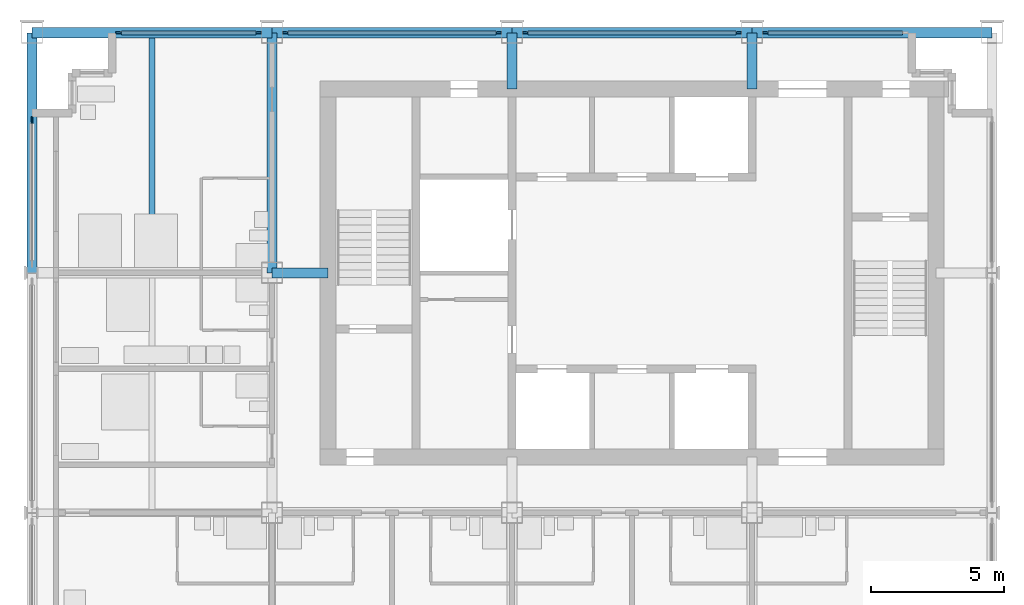
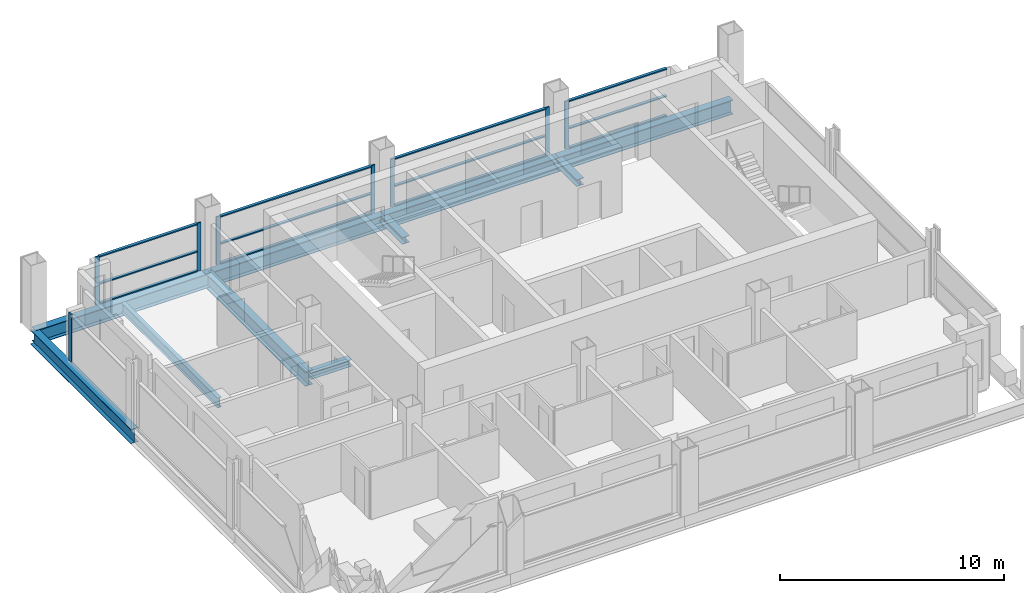
# One storey, part 3 of 12: 23 members, 7 beams, 5 elements without a shape of their own.
"""IFC4 building model written with IfcOpenShell, lengths in metres."""

from ifc_helpers import new_model, si_unit, direction, frame, origin, origin_2d, place, context, subcontext, project, spatial, rectangle, i_section, extrude, material, material_profile, profile_set, type_object, element, aggregate, save


model = new_model("IFC4")

# Units and contexts
model_context = context("Model", 3, precision=1e-05, world=origin(), true_north=direction((0.0, 1.0)))
body_context = subcontext(model_context, "Body", "Model", "MODEL_VIEW")
ifc_project = project(units=[si_unit("LENGTHUNIT", "METRE"), si_unit("AREAUNIT", "SQUARE_METRE"), si_unit("VOLUMEUNIT", "CUBIC_METRE"), si_unit("PLANEANGLEUNIT", "RADIAN"), si_unit("MASSUNIT", "GRAM", prefix="KILO")], contexts=[model_context])

# Site, building, storey
site_placement = place(None, origin())
site = spatial("IfcSite", under=ifc_project, at=site_placement, CompositionType="ELEMENT")
building_placement = place(site_placement, origin())
building = spatial("IfcBuilding", under=site, at=building_placement, Name="Loomwork Tower", CompositionType="ELEMENT")
storey_placement = place(building_placement, frame((0.0, 0.0, 259.0)))
storey = spatial("IfcBuildingStorey", under=building, at=storey_placement, Name="L71", CompositionType="ELEMENT", Elevation=259.0)

# Beam
ifc_material_1 = material(Name="Steel ASTM A992", Category="steel")
ifc_material_profile_1 = material_profile(ifc_material_1, i_section(OverallWidth=0.383544921875, OverallDepth=0.794921875, WebThickness=0.02099609375, FlangeThickness=0.0380859375, at=origin_2d()), Name="W30x235")
ifc_profile_set_1 = profile_set([ifc_material_profile_1], Name="Steel ASTM A992")
beam_type_1 = type_object("IfcBeamType", Name="CORE FLANK GIRDER W30x235", PredefinedType="BEAM", material=ifc_profile_set_1)
beam_1_placement = place(storey_placement, frame((9.0, 18.0, -0.597412109375), z_axis=(0.0, 1.0, 0.0), x_axis=(-1.0, 0.0, 0.0)))
element("IfcBeam", 1, at=beam_1_placement, inside=storey, type_object=beam_type_1, Name="Core Flank Girder F/3-G/3 L71", PredefinedType="BEAM", context=body_context, shape_type="SweptSolid", body=[
    extrude(i_section(OverallWidth=0.383544921875, OverallDepth=0.794921875, WebThickness=0.02099609375, FlangeThickness=0.0380859375, at=origin_2d()), origin(), (0.0, 0.0, 1.0), 9.0),
])

# Members
ifc_material_2 = material(Name="Steel ASTM A992", Category="steel")
ifc_material_profile_2 = material_profile(ifc_material_2, i_section(OverallWidth=0.373291015625, OverallDepth=0.373291015625, WebThickness=0.016357421875, FlangeThickness=0.026123046875, at=origin_2d()), Name="W14x132")
ifc_profile_set_2 = profile_set([ifc_material_profile_2], Name="Steel ASTM A992")
member_type_1 = type_object("IfcMemberType", Name="CORE LINK STRUT W14x132", PredefinedType="STRUT", material=ifc_profile_set_2)
for number, where, z_axis, x_axis, name in (
    (2, (18.0, 27.0, -0.38671875), (0.0, -1.0, 0.0), (1.0, 0.0, 0.0), "Core link strut G/4-18.000,24.900 L71"),
    (3, (27.0, 27.0, -0.38671875), (0.0, -1.0, 0.0), (1.0, 0.0, 0.0), "Core link strut G/5-27.000,24.900 L71"),
    (4, (9.0, 18.0, -0.38671875), (1.0, 0.0, 0.0), (0.0, 1.0, 0.0), "Core link strut F/3-11.100,18.000 L71"),
):
    element("IfcMember", number, at=place(storey_placement, frame(where, z_axis=z_axis, x_axis=x_axis)), inside=storey, type_object=member_type_1, Name=name, PredefinedType="STRUT", context=body_context, shape_type="SweptSolid", body=[
        extrude(i_section(OverallWidth=0.373291015625, OverallDepth=0.373291015625, WebThickness=0.016357421875, FlangeThickness=0.026123046875, at=origin_2d()), origin(), (0.0, 0.0, 1.0), 2.10009765625),
    ])

# Beam
ifc_material_3 = material(Name="Steel ASTM A992", Category="steel")
ifc_material_profile_3 = material_profile(ifc_material_3, i_section(OverallWidth=0.2109375, OverallDepth=0.53857421875, WebThickness=0.011474609375, FlangeThickness=0.018798828125, at=origin_2d()), Name="W21x73")
ifc_profile_set_3 = profile_set([ifc_material_profile_3], Name="Steel ASTM A992")
beam_type_2 = type_object("IfcBeamType", Name="FLOOR JOIST W21x73", PredefinedType="JOIST", material=ifc_profile_set_3)
beam_2_placement = place(storey_placement, frame((4.5, 18.19091796875, -0.46923828125), z_axis=(0.0, 1.0, 0.0), x_axis=(-1.0, 0.0, 0.0)))
element("IfcBeam", 5, at=beam_2_placement, inside=storey, type_object=beam_type_2, Name="Floor Joist 4.500,18.000-4.500,27.000 L71", PredefinedType="JOIST", context=body_context, shape_type="SweptSolid", body=[
    extrude(i_section(OverallWidth=0.2109375, OverallDepth=0.53857421875, WebThickness=0.011474609375, FlangeThickness=0.018798828125, at=origin_2d()), origin(), (0.0, 0.0, 1.0), 8.619140625),
])

# Curtain wall, member
ifc_material_4 = material(Name="Aluminium curtain wall frame", Category="aluminium")
curtain_wall_type_1 = type_object("IfcCurtainWallType", Name="Outer skin glazing suites", PredefinedType="NOTDEFINED", material=ifc_material_4)
curtain_wall_1_placement = place(storey_placement, origin())
curtain_wall_1 = element("IfcCurtainWall", 6, at=curtain_wall_1_placement, inside=storey, type_object=curtain_wall_type_1, Name="Outer skin glazing suites cw/W-18", PredefinedType="NOTDEFINED")
ifc_material_5 = material(Name="Aluminium curtain wall frame", Category="aluminium")
ifc_material_profile_4 = material_profile(ifc_material_5, rectangle(XDim=0.06494140625, YDim=0.25, at=origin_2d()), Name="AL 65x250")
ifc_profile_set_4 = profile_set([ifc_material_profile_4], Name="Aluminium curtain wall frame")
member_type_2 = type_object("IfcMemberType", Name="Outer skin glazing suites mullion", PredefinedType="MULLION", material=ifc_profile_set_4)
member_1_placement = place(storey_placement, frame((0.0, 23.72509765625, 0.0), z_axis=(0.0, 0.0, 1.0), x_axis=(1.0, 0.0, 0.0)))
member_1 = element("IfcMember", 7, at=member_1_placement, type_object=member_type_2, Name="CW2 mullion 1", PredefinedType="MULLION", context=body_context, shape_type="SweptSolid", body=[
    extrude(rectangle(XDim=0.06494140625, YDim=0.25, at=origin_2d()), origin(), (0.0, 0.0, 1.0), 2.6201171875),
])
aggregate(curtain_wall_1, [member_1])

# Beams
ifc_material_6 = material(Name="Steel ASTM A992", Category="steel")
ifc_material_profile_5 = material_profile(ifc_material_6, i_section(OverallWidth=0.381103515625, OverallDepth=0.77978515625, WebThickness=0.01806640625, FlangeThickness=0.0302734375, at=origin_2d()), Name="W30x191")
ifc_profile_set_5 = profile_set([ifc_material_profile_5], Name="Steel ASTM A992")
beam_type_3 = type_object("IfcBeamType", Name="SPANDREL GIRDER W30x191", PredefinedType="SPANDREL", material=ifc_profile_set_5)
for number, where, z_axis, x_axis, name in (
    (8, (0.0, 27.0, -0.58984375), (1.0, 0.0, 0.0), (0.0, 1.0, 0.0), "Spandrel Girder G/2-G/3 L71"),
    (9, (9.0, 27.0, -0.58984375), (1.0, 0.0, 0.0), (0.0, 1.0, 0.0), "Spandrel Girder G/3-G/4 L71"),
    (10, (18.0, 27.0, -0.58984375), (1.0, 0.0, 0.0), (0.0, 1.0, 0.0), "Spandrel Girder G/4-G/5 L71"),
    (11, (27.0, 27.0, -0.58984375), (1.0, 0.0, 0.0), (0.0, 1.0, 0.0), "Spandrel Girder G/5-G/6 L71"),
    (12, (0.0, 18.0, -0.58984375), (0.0, 1.0, 0.0), (-1.0, 0.0, 0.0), "Spandrel Girder F/2-G/2 L71"),
):
    element("IfcBeam", number, at=place(storey_placement, frame(where, z_axis=z_axis, x_axis=x_axis)), inside=storey, type_object=beam_type_3, Name=name, PredefinedType="SPANDREL", context=body_context, shape_type="SweptSolid", body=[
        extrude(i_section(OverallWidth=0.381103515625, OverallDepth=0.77978515625, WebThickness=0.01806640625, FlangeThickness=0.0302734375, at=origin_2d()), origin(), (0.0, 0.0, 1.0), 9.0),
    ])

# Curtain wall, members
ifc_material_7 = material(Name="Aluminium curtain wall frame", Category="aluminium")
curtain_wall_type_2 = type_object("IfcCurtainWallType", Name="Single skin glazing corridor", PredefinedType="NOTDEFINED", material=ifc_material_7)
curtain_wall_2_placement = place(storey_placement, origin())
curtain_wall_2 = element("IfcCurtainWall", 13, at=curtain_wall_2_placement, inside=storey, type_object=curtain_wall_type_2, Name="Single skin glazing corridor cw/N-0", PredefinedType="NOTDEFINED")
ifc_material_8 = material(Name="Aluminium curtain wall frame", Category="aluminium")
ifc_material_profile_6 = material_profile(ifc_material_8, rectangle(XDim=0.06494140625, YDim=0.199951171875, at=origin_2d()), Name="AL 65x200")
ifc_profile_set_6 = profile_set([ifc_material_profile_6], Name="Aluminium curtain wall frame")
member_type_3 = type_object("IfcMemberType", Name="Single skin glazing corridor mullion", PredefinedType="MULLION", material=ifc_profile_set_6)
member_2_placement = place(storey_placement, frame((8.5, 27.0, 0.0), z_axis=(0.0, 0.0, 1.0), x_axis=(0.0, -1.0, 0.0)))
member_2 = element("IfcMember", 14, at=member_2_placement, type_object=member_type_3, Name="CW3 mullion 1", PredefinedType="MULLION", context=body_context, shape_type="SweptSolid", body=[
    extrude(rectangle(XDim=0.06494140625, YDim=0.199951171875, at=origin_2d()), origin(), (0.0, 0.0, 1.0), 2.6201171875),
])
member_3_placement = place(storey_placement, frame((3.25, 27.0, 0.0), z_axis=(0.0, 0.0, 1.0), x_axis=(0.0, -1.0, 0.0)))
member_3 = element("IfcMember", 15, at=member_3_placement, type_object=member_type_3, Name="CW3 mullion 2", PredefinedType="MULLION", context=body_context, shape_type="SweptSolid", body=[
    extrude(rectangle(XDim=0.06494140625, YDim=0.199951171875, at=origin_2d()), origin(), (0.0, 0.0, 1.0), 2.6201171875),
])

curtain_wall_3_placement = place(storey_placement, origin())
curtain_wall_3 = element("IfcCurtainWall", 16, at=curtain_wall_3_placement, inside=storey, type_object=curtain_wall_type_2, Name="Single skin glazing corridor cw/N-9", PredefinedType="NOTDEFINED")
member_4_placement = place(storey_placement, frame((17.5, 27.0, 0.0), z_axis=(0.0, 0.0, 1.0), x_axis=(0.0, -1.0, 0.0)))
member_4 = element("IfcMember", 17, at=member_4_placement, type_object=member_type_3, Name="CW3 mullion 1", PredefinedType="MULLION", context=body_context, shape_type="SweptSolid", body=[
    extrude(rectangle(XDim=0.06494140625, YDim=0.199951171875, at=origin_2d()), origin(), (0.0, 0.0, 1.0), 2.6201171875),
])
member_5_placement = place(storey_placement, frame((9.5, 27.0, 0.0), z_axis=(0.0, 0.0, 1.0), x_axis=(0.0, -1.0, 0.0)))
member_5 = element("IfcMember", 18, at=member_5_placement, type_object=member_type_3, Name="CW3 mullion 2", PredefinedType="MULLION", context=body_context, shape_type="SweptSolid", body=[
    extrude(rectangle(XDim=0.06494140625, YDim=0.199951171875, at=origin_2d()), origin(), (0.0, 0.0, 1.0), 2.6201171875),
])

curtain_wall_4_placement = place(storey_placement, origin())
curtain_wall_4 = element("IfcCurtainWall", 19, at=curtain_wall_4_placement, inside=storey, type_object=curtain_wall_type_2, Name="Single skin glazing corridor cw/N-18", PredefinedType="NOTDEFINED")
member_6_placement = place(storey_placement, frame((26.5, 27.0, 0.0), z_axis=(0.0, 0.0, 1.0), x_axis=(0.0, -1.0, 0.0)))
member_6 = element("IfcMember", 20, at=member_6_placement, type_object=member_type_3, Name="CW3 mullion 1", PredefinedType="MULLION", context=body_context, shape_type="SweptSolid", body=[
    extrude(rectangle(XDim=0.06494140625, YDim=0.199951171875, at=origin_2d()), origin(), (0.0, 0.0, 1.0), 2.6201171875),
])
member_7_placement = place(storey_placement, frame((18.5, 27.0, 0.0), z_axis=(0.0, 0.0, 1.0), x_axis=(0.0, -1.0, 0.0)))
member_7 = element("IfcMember", 21, at=member_7_placement, type_object=member_type_3, Name="CW3 mullion 2", PredefinedType="MULLION", context=body_context, shape_type="SweptSolid", body=[
    extrude(rectangle(XDim=0.06494140625, YDim=0.199951171875, at=origin_2d()), origin(), (0.0, 0.0, 1.0), 2.6201171875),
])

# Curtain wall, member
curtain_wall_5_placement = place(storey_placement, origin())
curtain_wall_5 = element("IfcCurtainWall", 22, at=curtain_wall_5_placement, inside=storey, type_object=curtain_wall_type_2, Name="Single skin glazing corridor cw/N-27", PredefinedType="NOTDEFINED")
member_8_placement = place(storey_placement, frame((27.5, 27.0, 0.0), z_axis=(0.0, 0.0, 1.0), x_axis=(0.0, -1.0, 0.0)))
member_8 = element("IfcMember", 23, at=member_8_placement, type_object=member_type_3, Name="CW3 mullion 2", PredefinedType="MULLION", context=body_context, shape_type="SweptSolid", body=[
    extrude(rectangle(XDim=0.06494140625, YDim=0.199951171875, at=origin_2d()), origin(), (0.0, 0.0, 1.0), 2.6201171875),
])

# Member
ifc_material_9 = material(Name="Aluminium curtain wall frame", Category="aluminium")
ifc_material_profile_7 = material_profile(ifc_material_9, rectangle(XDim=0.14990234375, YDim=0.06494140625, at=origin_2d()), Name="AL 65x150")
ifc_profile_set_7 = profile_set([ifc_material_profile_7], Name="Aluminium curtain wall frame")
member_type_4 = type_object("IfcMemberType", Name="Single skin glazing corridor transom", PredefinedType="USERDEFINED", material=ifc_profile_set_7)
member_9_placement = place(storey_placement, frame((8.39990234375, 27.0, 0.032470703125), z_axis=(-1.0, 0.0, 0.0), x_axis=(0.0, -1.0, 0.0)))
member_9 = element("IfcMember", 24, at=member_9_placement, type_object=member_type_4, Name="CW3 transom 1.1", ObjectType="TRANSOM", PredefinedType="USERDEFINED", context=body_context, shape_type="SweptSolid", body=[
    extrude(rectangle(XDim=0.14990234375, YDim=0.06494140625, at=origin_2d()), origin(), (0.0, 0.0, 1.0), 5.0498046875),
])

member_10_placement = place(storey_placement, frame((8.39990234375, 27.0, 1.10009765625), z_axis=(-1.0, 0.0, 0.0), x_axis=(0.0, -1.0, 0.0)))
member_10 = element("IfcMember", 25, at=member_10_placement, type_object=member_type_4, Name="CW3 transom 1.2", ObjectType="TRANSOM", PredefinedType="USERDEFINED", context=body_context, shape_type="SweptSolid", body=[
    extrude(rectangle(XDim=0.14990234375, YDim=0.06494140625, at=origin_2d()), origin(), (0.0, 0.0, 1.0), 5.0498046875),
])

member_11_placement = place(storey_placement, frame((8.39990234375, 27.0, 2.587646484375), z_axis=(-1.0, 0.0, 0.0), x_axis=(0.0, -1.0, 0.0)))
member_11 = element("IfcMember", 26, at=member_11_placement, type_object=member_type_4, Name="CW3 transom 1.3", ObjectType="TRANSOM", PredefinedType="USERDEFINED", context=body_context, shape_type="SweptSolid", body=[
    extrude(rectangle(XDim=0.14990234375, YDim=0.06494140625, at=origin_2d()), origin(), (0.0, 0.0, 1.0), 5.0498046875),
])

aggregate(curtain_wall_2, [member_2, member_3, member_9, member_10, member_11])

member_12_placement = place(storey_placement, frame((17.39990234375, 27.0, 0.032470703125), z_axis=(-1.0, 0.0, 0.0), x_axis=(0.0, -1.0, 0.0)))
member_12 = element("IfcMember", 27, at=member_12_placement, type_object=member_type_4, Name="CW3 transom 1.1", ObjectType="TRANSOM", PredefinedType="USERDEFINED", context=body_context, shape_type="SweptSolid", body=[
    extrude(rectangle(XDim=0.14990234375, YDim=0.06494140625, at=origin_2d()), origin(), (0.0, 0.0, 1.0), 7.7998046875),
])

member_13_placement = place(storey_placement, frame((17.39990234375, 27.0, 1.10009765625), z_axis=(-1.0, 0.0, 0.0), x_axis=(0.0, -1.0, 0.0)))
member_13 = element("IfcMember", 28, at=member_13_placement, type_object=member_type_4, Name="CW3 transom 1.2", ObjectType="TRANSOM", PredefinedType="USERDEFINED", context=body_context, shape_type="SweptSolid", body=[
    extrude(rectangle(XDim=0.14990234375, YDim=0.06494140625, at=origin_2d()), origin(), (0.0, 0.0, 1.0), 7.7998046875),
])

member_14_placement = place(storey_placement, frame((17.39990234375, 27.0, 2.587646484375), z_axis=(-1.0, 0.0, 0.0), x_axis=(0.0, -1.0, 0.0)))
member_14 = element("IfcMember", 29, at=member_14_placement, type_object=member_type_4, Name="CW3 transom 1.3", ObjectType="TRANSOM", PredefinedType="USERDEFINED", context=body_context, shape_type="SweptSolid", body=[
    extrude(rectangle(XDim=0.14990234375, YDim=0.06494140625, at=origin_2d()), origin(), (0.0, 0.0, 1.0), 7.7998046875),
])

aggregate(curtain_wall_3, [member_4, member_5, member_12, member_13, member_14])

member_15_placement = place(storey_placement, frame((26.39990234375, 27.0, 0.032470703125), z_axis=(-1.0, 0.0, 0.0), x_axis=(0.0, -1.0, 0.0)))
member_15 = element("IfcMember", 30, at=member_15_placement, type_object=member_type_4, Name="CW3 transom 1.1", ObjectType="TRANSOM", PredefinedType="USERDEFINED", context=body_context, shape_type="SweptSolid", body=[
    extrude(rectangle(XDim=0.14990234375, YDim=0.06494140625, at=origin_2d()), origin(), (0.0, 0.0, 1.0), 7.7998046875),
])

member_16_placement = place(storey_placement, frame((26.39990234375, 27.0, 1.10009765625), z_axis=(-1.0, 0.0, 0.0), x_axis=(0.0, -1.0, 0.0)))
member_16 = element("IfcMember", 31, at=member_16_placement, type_object=member_type_4, Name="CW3 transom 1.2", ObjectType="TRANSOM", PredefinedType="USERDEFINED", context=body_context, shape_type="SweptSolid", body=[
    extrude(rectangle(XDim=0.14990234375, YDim=0.06494140625, at=origin_2d()), origin(), (0.0, 0.0, 1.0), 7.7998046875),
])

member_17_placement = place(storey_placement, frame((26.39990234375, 27.0, 2.587646484375), z_axis=(-1.0, 0.0, 0.0), x_axis=(0.0, -1.0, 0.0)))
member_17 = element("IfcMember", 32, at=member_17_placement, type_object=member_type_4, Name="CW3 transom 1.3", ObjectType="TRANSOM", PredefinedType="USERDEFINED", context=body_context, shape_type="SweptSolid", body=[
    extrude(rectangle(XDim=0.14990234375, YDim=0.06494140625, at=origin_2d()), origin(), (0.0, 0.0, 1.0), 7.7998046875),
])

aggregate(curtain_wall_4, [member_6, member_7, member_15, member_16, member_17])

member_18_placement = place(storey_placement, frame((32.64990234375, 27.0, 0.032470703125), z_axis=(-1.0, 0.0, 0.0), x_axis=(0.0, -1.0, 0.0)))
member_18 = element("IfcMember", 33, at=member_18_placement, type_object=member_type_4, Name="CW3 transom 1.1", ObjectType="TRANSOM", PredefinedType="USERDEFINED", context=body_context, shape_type="SweptSolid", body=[
    extrude(rectangle(XDim=0.14990234375, YDim=0.06494140625, at=origin_2d()), origin(), (0.0, 0.0, 1.0), 5.0498046875),
])

member_19_placement = place(storey_placement, frame((32.64990234375, 27.0, 1.10009765625), z_axis=(-1.0, 0.0, 0.0), x_axis=(0.0, -1.0, 0.0)))
member_19 = element("IfcMember", 34, at=member_19_placement, type_object=member_type_4, Name="CW3 transom 1.2", ObjectType="TRANSOM", PredefinedType="USERDEFINED", context=body_context, shape_type="SweptSolid", body=[
    extrude(rectangle(XDim=0.14990234375, YDim=0.06494140625, at=origin_2d()), origin(), (0.0, 0.0, 1.0), 5.0498046875),
])

member_20_placement = place(storey_placement, frame((32.64990234375, 27.0, 2.587646484375), z_axis=(-1.0, 0.0, 0.0), x_axis=(0.0, -1.0, 0.0)))
member_20 = element("IfcMember", 35, at=member_20_placement, type_object=member_type_4, Name="CW3 transom 1.3", ObjectType="TRANSOM", PredefinedType="USERDEFINED", context=body_context, shape_type="SweptSolid", body=[
    extrude(rectangle(XDim=0.14990234375, YDim=0.06494140625, at=origin_2d()), origin(), (0.0, 0.0, 1.0), 5.0498046875),
])

aggregate(curtain_wall_5, [member_8, member_18, member_19, member_20])

save(model, "model.ifc")
